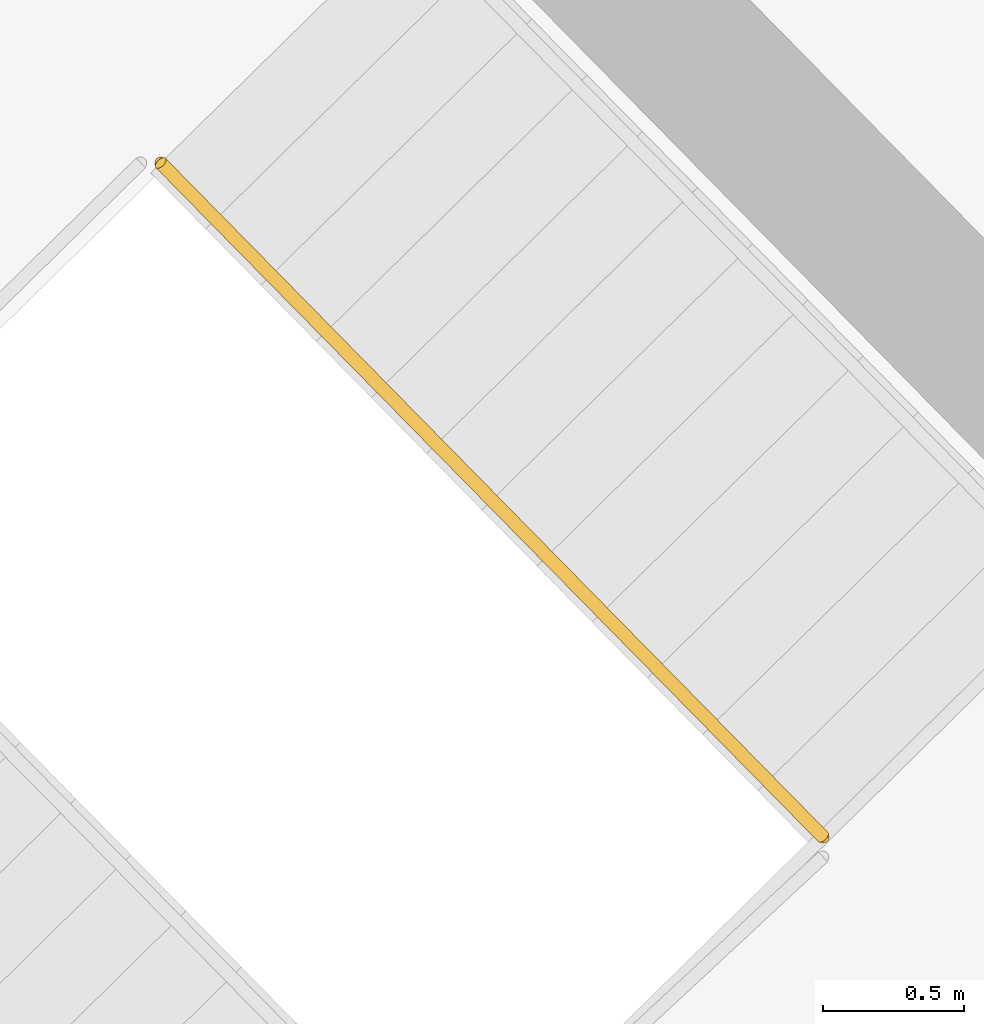
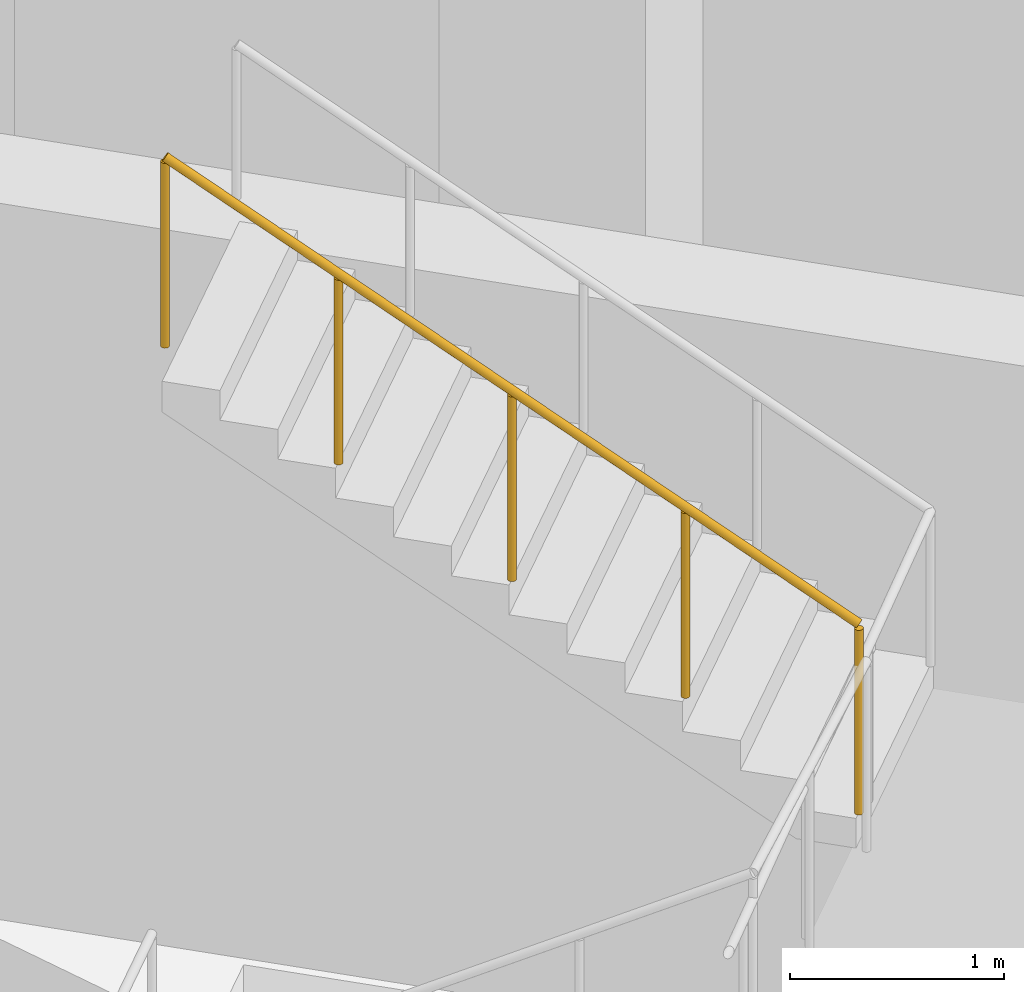
# One storey, part 10 of 10: 1 railing.
"""IFC4 building model written with IfcOpenShell, lengths in metres."""

from ifc_helpers import new_model, si_unit, direction, frame, origin, origin_2d, place, context, subcontext, project, spatial, circle, extrude, material, type_object, element, save


model = new_model("IFC4")

# Units and contexts
model_context = context("Model", 3, precision=1e-05, world=origin(), true_north=direction((0.0, 1.0)))
body_context = subcontext(model_context, "Body", "Model", "MODEL_VIEW")
ifc_project = project(units=[si_unit("LENGTHUNIT", "METRE"), si_unit("AREAUNIT", "SQUARE_METRE"), si_unit("VOLUMEUNIT", "CUBIC_METRE"), si_unit("PLANEANGLEUNIT", "RADIAN"), si_unit("MASSUNIT", "GRAM", prefix="KILO")], contexts=[model_context])

# Site, building, storey
site_placement = place(None, origin())
site = spatial("IfcSite", under=ifc_project, at=site_placement, CompositionType="ELEMENT")
building_placement = place(site_placement, origin())
building = spatial("IfcBuilding", under=site, at=building_placement, Name="Binnacle Exchange Tower", CompositionType="ELEMENT")
storey_placement = place(building_placement, frame((0.0, 0.0, 101.5)))
storey = spatial("IfcBuildingStorey", under=building, at=storey_placement, Name="L20", CompositionType="ELEMENT", Elevation=101.5)

# Railing
ifc_material = material(Name="Steel guard rail", Category="steel")
railing_type = type_object("IfcRailingType", Name="STAIR GUARD 1100", PredefinedType="GUARDRAIL", material=ifc_material)
railing_placement = place(storey_placement, frame((44.4970703125, 45.947021484375, 2.369140625)))
element("IfcRailing", 1, at=railing_placement, inside=storey, type_object=railing_type, Name="L20 STB1 stair guard 2", PredefinedType="GUARDRAIL", context=body_context, shape_type="SweptSolid", body=[
    extrude(circle(Radius=0.02392578125, at=origin_2d()), frame((0.0, 0.0, 1.076171875), z_axis=(-0.599850224077, 0.610421915772, 0.51726665601), x_axis=(-0.713256128111, -0.700903485305, 0.0)), (0.0, 0.0, 1.0), 3.926025390625),
    extrude(circle(Radius=0.02099609375, at=origin_2d()), origin(), (0.0, 0.0, 1.0), 1.052001953125),
    extrude(circle(Radius=0.02099609375, at=origin_2d()), frame((-0.5888671875, 0.59912109375, 0.5078125)), (0.0, 0.0, 1.0), 1.052001953125),
    extrude(circle(Radius=0.02099609375, at=origin_2d()), frame((-1.177490234375, 1.1982421875, 1.015380859375)), (0.0, 0.0, 1.0), 1.052001953125),
    extrude(circle(Radius=0.02099609375, at=origin_2d()), frame((-1.76611328125, 1.79736328125, 1.52294921875)), (0.0, 0.0, 1.0), 1.052001953125),
    extrude(circle(Radius=0.02099609375, at=origin_2d()), frame((-2.35498046875, 2.396484375, 2.03076171875)), (0.0, 0.0, 1.0), 1.052001953125),
])

save(model, "model.ifc")
